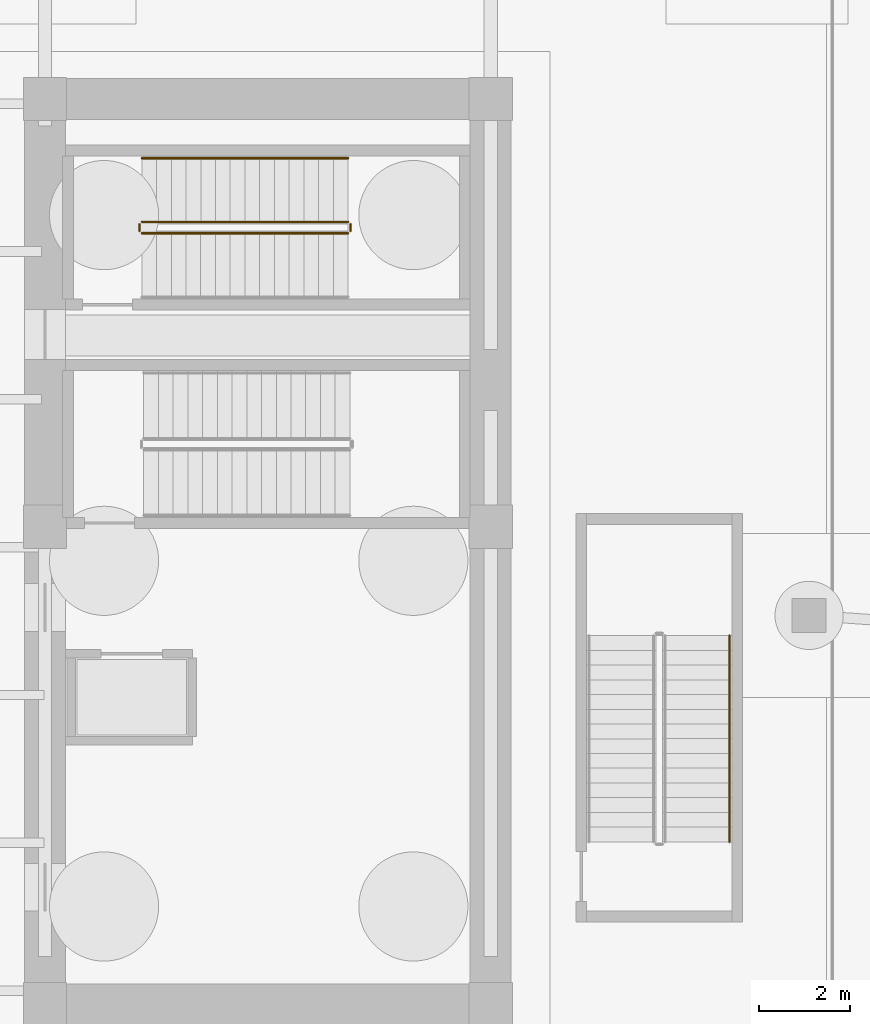
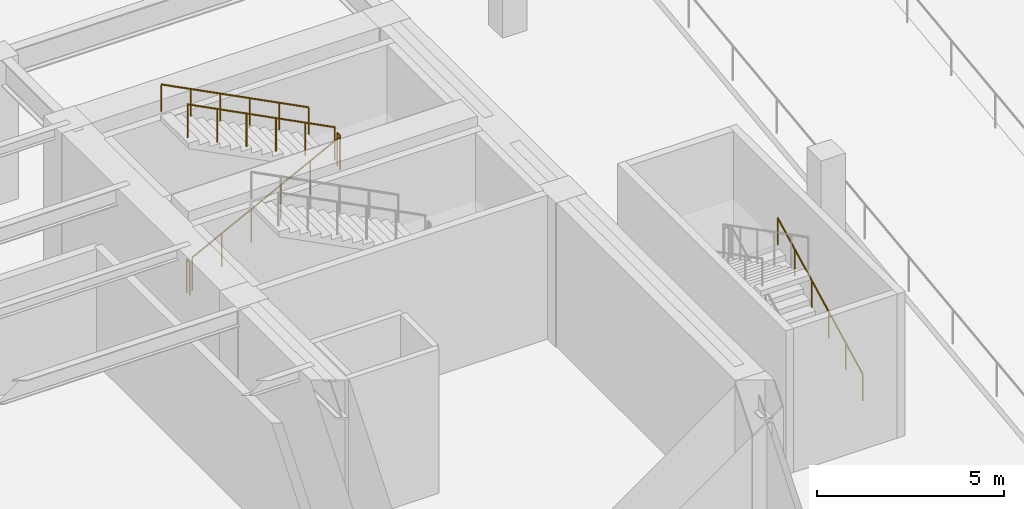
# One storey, part 12 of 14: 6 railings.
"""IFC4 building model written with IfcOpenShell, lengths in metres."""

import ifcopenshell
import ifcopenshell.guid

model = None  # the IFC model being written
_history = None  # IfcOwnerHistory: only IFC2X3 demands one
_inside = {}  # id of a spatial element -> (the spatial element, [elements in it])
_under = {}  # id of a project, library or spatial element -> (it, [spatial elements below it])
_declared = {}  # id of a project -> (the project, [libraries it declares])
_typed = {}  # id of a type object -> (the type object, [elements of that type])
_made_of = {}  # id of a material, layer set ... -> (it, [elements and type objects made of it])


def new_model(schema):
    """Start an empty IFC model of exactly this schema.

    Asked for "IFC4X3", IfcOpenShell would pick the latest addendum, in which some entities
    have other attributes; the version numbers below select the first issue.
    IFC2X3 requires an IfcOwnerHistory on every rooted entity: one is made here for all.
    """
    global model, _history
    if schema == "IFC4X3":
        model = ifcopenshell.file(schema_version=(4, 3, 0, 0))
    else:
        model = ifcopenshell.file(schema=schema)
    _inside.clear()
    _under.clear()
    _declared.clear()
    _typed.clear()
    _made_of.clear()
    _history = None
    if model.schema == "IFC2X3":
        org = make("IfcOrganization", Name="unknown")
        user = make(
            "IfcPersonAndOrganization",
            ThePerson=make("IfcPerson", FamilyName="unknown"),
            TheOrganization=org,
        )
        app = make(
            "IfcApplication",
            ApplicationDeveloper=org,
            Version="unknown",
            ApplicationFullName="unknown",
            ApplicationIdentifier="unknown",
        )
        _history = make(
            "IfcOwnerHistory",
            OwningUser=user,
            OwningApplication=app,
            ChangeAction="ADDED",
            CreationDate=0,
        )
    return model


def make(cls, **values):
    """One entity of the class cls with the attributes given. An attribute that is None is left unset."""
    return model.create_entity(
        cls, **{name: value for name, value in values.items() if value is not None}
    )


def rooted(cls, **values):
    """An entity with a GlobalId (a new one), such as an element, a storey or a relation."""
    return make(cls, GlobalId=ifcopenshell.guid.new(), OwnerHistory=_history, **values)


def si_unit(unit_type, name, prefix=None):
    """IfcSIUnit, for example si_unit("LENGTHUNIT", "METRE", prefix="MILLI")."""
    return make("IfcSIUnit", UnitType=unit_type, Prefix=prefix, Name=name)


def assignment(units):
    """IfcUnitAssignment: the units of a project."""
    return None if units is None else make("IfcUnitAssignment", Units=units)


def point(xyz):
    """IfcCartesianPoint."""
    return None if xyz is None else make("IfcCartesianPoint", Coordinates=xyz)


def direction(xyz):
    """IfcDirection."""
    return None if xyz is None else make("IfcDirection", DirectionRatios=xyz)


def frame(location, z_axis=None, x_axis=None):
    """IfcAxis2Placement3D, a coordinate frame: its origin and axes. An axis left out is left unset."""
    return make(
        "IfcAxis2Placement3D",
        Location=point(location),
        Axis=direction(z_axis),
        RefDirection=direction(x_axis),
    )


def frame_2d(location, x_axis=None):
    """IfcAxis2Placement2D, a coordinate frame in the plane: its origin and x axis."""
    return make(
        "IfcAxis2Placement2D", Location=point(location), RefDirection=direction(x_axis)
    )


def origin():
    """The frame at (0, 0, 0) with its axes left unset."""
    return frame((0.0, 0.0, 0.0))


def origin_2d():
    """The frame at (0, 0) in the plane with its x axis left unset."""
    return frame_2d((0.0, 0.0))


def place(relative_to, where):
    """IfcLocalPlacement: puts the frame where relative to a parent placement (None: the world)."""
    return make(
        "IfcLocalPlacement", PlacementRelTo=relative_to, RelativePlacement=where
    )


def context(
    kind, dimensions, precision=None, world=None, true_north=None, identifier=None
):
    """IfcGeometricRepresentationContext, for example the 3D "Model" context."""
    return make(
        "IfcGeometricRepresentationContext",
        ContextIdentifier=identifier,
        ContextType=kind,
        CoordinateSpaceDimension=dimensions,
        Precision=precision,
        WorldCoordinateSystem=world,
        TrueNorth=true_north,
    )


def subcontext(parent, identifier, kind, view, scale=None):
    """IfcGeometricRepresentationSubContext, for example "Body" below "Model"."""
    return make(
        "IfcGeometricRepresentationSubContext",
        ContextIdentifier=identifier,
        ContextType=kind,
        ParentContext=parent,
        TargetScale=scale,
        TargetView=view,
    )


def project(units=None, contexts=None):
    """IfcProject with its units and contexts."""
    return rooted(
        "IfcProject",
        Name="project",
        RepresentationContexts=contexts,
        UnitsInContext=assignment(units),
    )


def spatial(cls, under=None, at=None, **own):
    """A site, building, storey or space (cls), placed at a placement, below another one or the project."""
    s = rooted(cls, ObjectPlacement=at, **own)
    if under is not None:
        _under.setdefault(under.id(), (under, []))[1].append(s)
    return s


def profile(cls, at=None, kind="AREA", **sizes):
    """A parametric profile (cls). Its sizes go by their IFC names, for example OverallWidth=200.0."""
    return make(cls, ProfileType=kind, Position=at, **sizes)


def circle(**sizes):
    """IfcCircleProfileDef."""
    return profile("IfcCircleProfileDef", **sizes)


def extrude(swept, where, along, depth):
    """IfcExtrudedAreaSolid: the profile swept, set in the frame where, extruded along a direction by depth."""
    return make(
        "IfcExtrudedAreaSolid",
        SweptArea=swept,
        Position=where,
        ExtrudedDirection=direction(along),
        Depth=depth,
    )


def shape(context_of_items, identifier, shape_type, items):
    """IfcShapeRepresentation: the items that make up one representation, for example the "Body"."""
    return make(
        "IfcShapeRepresentation",
        ContextOfItems=context_of_items,
        RepresentationIdentifier=identifier,
        RepresentationType=shape_type,
        Items=items,
    )


def material(Name=None, Category=None):
    """IfcMaterial."""
    return make("IfcMaterial", Name=Name, Category=Category)


def made_of(thing, what):
    """Note that an element or type object is made of a material, layer set ...; save() writes the relation."""
    if what is not None:
        _made_of.setdefault(what.id(), (what, []))[1].append(thing)
    return thing


def type_object(cls, material=None, **own):
    """A type object (cls), such as IfcWallType, which elements share."""
    return made_of(rooted(cls, **own), material)


def element(
    cls,
    number,
    at=None,
    inside=None,
    cuts=None,
    type_object=None,
    material=None,
    context=None,
    identifier="Body",
    shape_type=None,
    held_by="IfcProductDefinitionShape",
    body=None,
    shapes=None,
    **own,
):
    """One element of the class cls, such as IfcWall. Its Tag is "e" and its number.

    at: its placement. inside: the storey or other place that contains it. cuts: it is an
    opening in that element (IfcRelVoidsElement). A single representation is given by context,
    identifier, shape_type and body (its items); several are given by shapes. held_by: the class
    of the entity that holds the representations. save() writes the other relations.
    """
    e = rooted(cls, Tag="e%d" % number, ObjectPlacement=at, **own)
    if body is not None:
        shapes = [shape(context, identifier, shape_type, body)]
    if shapes is not None:
        e.Representation = make(held_by, Representations=shapes)
    if inside is not None:
        _inside.setdefault(inside.id(), (inside, []))[1].append(e)
    if cuts is not None:
        rooted(
            "IfcRelVoidsElement", RelatingBuildingElement=cuts, RelatedOpeningElement=e
        )
    if type_object is not None:
        _typed.setdefault(type_object.id(), (type_object, []))[1].append(e)
    return made_of(e, material)


def aggregate(whole, parts):
    """IfcRelAggregates: a whole, such as a stair, and the parts it consists of."""
    return rooted("IfcRelAggregates", RelatingObject=whole, RelatedObjects=parts)


def save(model, path):
    """Write the relations noted so far, then the file.

    IfcRelAggregates (storeys below a building ...), IfcRelContainedInSpatialStructure (elements
    in a storey), IfcRelDefinesByType, IfcRelAssociatesMaterial and IfcRelDeclares: one each for
    every whole, place, type object, material and project.
    """
    for whole, parts in _under.values():
        aggregate(whole, parts)
    for where, things in _inside.values():
        rooted(
            "IfcRelContainedInSpatialStructure",
            RelatedElements=things,
            RelatingStructure=where,
        )
    for kind, things in _typed.values():
        rooted("IfcRelDefinesByType", RelatedObjects=things, RelatingType=kind)
    for what, things in _made_of.values():
        rooted("IfcRelAssociatesMaterial", RelatedObjects=things, RelatingMaterial=what)
    for by, libraries in _declared.values():
        rooted("IfcRelDeclares", RelatingContext=by, RelatedDefinitions=libraries)
    model.write(path)


model = new_model("IFC4")

# Units and contexts
model_context = context("Model", 3, precision=1e-05, world=origin(), true_north=direction((0.0, 1.0)))
body_context = subcontext(model_context, "Body", "Model", "MODEL_VIEW")
ifc_project = project(units=[si_unit("LENGTHUNIT", "METRE"), si_unit("AREAUNIT", "SQUARE_METRE"), si_unit("VOLUMEUNIT", "CUBIC_METRE"), si_unit("PLANEANGLEUNIT", "RADIAN"), si_unit("MASSUNIT", "GRAM", prefix="KILO")], contexts=[model_context])

# Site, building, storey
site_placement = place(None, origin())
site = spatial("IfcSite", under=ifc_project, at=site_placement, CompositionType="ELEMENT")
building_placement = place(site_placement, origin())
building = spatial("IfcBuilding", under=site, at=building_placement, Name="Kolvaren Arena Tower", CompositionType="ELEMENT")
storey_placement = place(building_placement, frame((0.0, 0.0, -10.0)))
storey = spatial("IfcBuildingStorey", under=building, at=storey_placement, Name="B02", CompositionType="ELEMENT", Elevation=-10.0)

# Railings
ifc_material_1 = material(Name="Painted galvanized steel", Category="steel")
railing_type_1 = type_object("IfcRailingType", Name="GUARD-ST-110", PredefinedType="GUARDRAIL", material=ifc_material_1)
railing_1_placement = place(storey_placement, frame((52.679931640625, 36.39990234375, 0.166748046875)))
element("IfcRailing", 1, at=railing_1_placement, inside=storey, type_object=railing_type_1, Name="B02 ST-E2 stair guard 1", PredefinedType="GUARDRAIL", context=body_context, shape_type="SweptSolid", body=[
    extrude(circle(Radius=0.02392578125, at=origin_2d()), frame((0.0, 0.0, 1.076171875), z_axis=(0.889257211316, 0.0, 0.457407490234), x_axis=(0.0, 1.0, 0.0)), (0.0, 0.0, 1.0), 5.10107421875),
    extrude(circle(Radius=0.02099609375, at=origin_2d()), origin(), (0.0, 0.0, 1.0), 1.052001953125),
    extrude(circle(Radius=0.02099609375, at=origin_2d()), frame((0.9072265625, 0.0, 0.466552734375)), (0.0, 0.0, 1.0), 1.052001953125),
    extrude(circle(Radius=0.02099609375, at=origin_2d()), frame((1.814453125, 0.0, 0.933349609375)), (0.0, 0.0, 1.0), 1.052001953125),
    extrude(circle(Radius=0.02099609375, at=origin_2d()), frame((2.7216796875, 0.0, 1.39990234375)), (0.0, 0.0, 1.0), 1.052001953125),
    extrude(circle(Radius=0.02099609375, at=origin_2d()), frame((3.62890625, 0.0, 1.86669921875)), (0.0, 0.0, 1.0), 1.052001953125),
    extrude(circle(Radius=0.02099609375, at=origin_2d()), frame((4.5361328125, 0.0, 2.333251953125)), (0.0, 0.0, 1.0), 1.052001953125),
])
railing_2_placement = place(storey_placement, frame((57.26611328125, 36.449951171875, 2.5)))
element("IfcRailing", 2, at=railing_2_placement, inside=storey, type_object=railing_type_1, Name="B02 ST-E2 stair guard 2", PredefinedType="GUARDRAIL", context=body_context, shape_type="SweptSolid", body=[
    extrude(circle(Radius=0.02392578125, at=origin_2d()), frame((0.0, 0.0, 1.076171875), z_axis=(0.0, 1.0, 0.0), x_axis=(-1.0, 0.0, 0.0)), (0.0, 0.0, 1.0), 0.150146484375),
    extrude(circle(Radius=0.02099609375, at=origin_2d()), origin(), (0.0, 0.0, 1.0), 1.052001953125),
    extrude(circle(Radius=0.02099609375, at=origin_2d()), frame((0.0, 0.150146484375, 0.0)), (0.0, 0.0, 1.0), 1.052001953125),
])
railing_3_placement = place(storey_placement, frame((57.216064453125, 36.64990234375, 2.666748046875)))
element("IfcRailing", 3, at=railing_3_placement, inside=storey, type_object=railing_type_1, Name="B02 ST-E2 stair guard 3", PredefinedType="GUARDRAIL", context=body_context, shape_type="SweptSolid", body=[
    extrude(circle(Radius=0.02392578125, at=origin_2d()), frame((0.0, 0.0, 1.076171875), z_axis=(-0.889257211316, 0.0, 0.457407490234), x_axis=(0.0, -1.0, 0.0)), (0.0, 0.0, 1.0), 5.10107421875),
    extrude(circle(Radius=0.02099609375, at=origin_2d()), origin(), (0.0, 0.0, 1.0), 1.052001953125),
    extrude(circle(Radius=0.02099609375, at=origin_2d()), frame((-0.9072265625, 0.0, 0.466552734375)), (0.0, 0.0, 1.0), 1.052001953125),
    extrude(circle(Radius=0.02099609375, at=origin_2d()), frame((-1.814453125, 0.0, 0.933349609375)), (0.0, 0.0, 1.0), 1.052001953125),
    extrude(circle(Radius=0.02099609375, at=origin_2d()), frame((-2.7216796875, 0.0, 1.39990234375)), (0.0, 0.0, 1.0), 1.052001953125),
    extrude(circle(Radius=0.02099609375, at=origin_2d()), frame((-3.62890625, 0.0, 1.86669921875)), (0.0, 0.0, 1.0), 1.052001953125),
    extrude(circle(Radius=0.02099609375, at=origin_2d()), frame((-4.5361328125, 0.0, 2.333251953125)), (0.0, 0.0, 1.0), 1.052001953125),
])
railing_4_placement = place(storey_placement, frame((52.6298828125, 36.449951171875, 0.0)))
element("IfcRailing", 4, at=railing_4_placement, inside=storey, type_object=railing_type_1, Name="B02 ST-E2 stair guard 4", PredefinedType="GUARDRAIL", context=body_context, shape_type="SweptSolid", body=[
    extrude(circle(Radius=0.02392578125, at=origin_2d()), frame((0.0, 0.0, 1.076171875), z_axis=(0.0, 1.0, 0.0), x_axis=(-1.0, 0.0, 0.0)), (0.0, 0.0, 1.0), 0.150146484375),
    extrude(circle(Radius=0.02099609375, at=origin_2d()), origin(), (0.0, 0.0, 1.0), 1.052001953125),
    extrude(circle(Radius=0.02099609375, at=origin_2d()), frame((0.0, 0.150146484375, 0.0)), (0.0, 0.0, 1.0), 1.052001953125),
])
ifc_material_2 = material(Name="Brushed stainless steel handrail", Category="steel")
railing_type_2 = type_object("IfcRailingType", Name="HRAIL-900", PredefinedType="HANDRAIL", material=ifc_material_2)
railing_5_placement = place(storey_placement, frame((57.216064453125, 38.050048828125, 2.666748046875)))
element("IfcRailing", 5, at=railing_5_placement, inside=storey, type_object=railing_type_2, Name="B02 ST-E2 stair handrail 2", PredefinedType="HANDRAIL", context=body_context, shape_type="SweptSolid", body=[
    extrude(circle(Radius=0.02392578125, at=origin_2d()), frame((0.0, 0.0, 0.8759765625), z_axis=(-0.889257211316, 0.0, 0.457407490234), x_axis=(0.0, -1.0, 0.0)), (0.0, 0.0, 1.0), 5.10107421875),
    extrude(circle(Radius=0.02099609375, at=origin_2d()), origin(), (0.0, 0.0, 1.0), 0.851806640625),
    extrude(circle(Radius=0.02099609375, at=origin_2d()), frame((-0.9072265625, 0.0, 0.466552734375)), (0.0, 0.0, 1.0), 0.851806640625),
    extrude(circle(Radius=0.02099609375, at=origin_2d()), frame((-1.814453125, 0.0, 0.933349609375)), (0.0, 0.0, 1.0), 0.851806640625),
    extrude(circle(Radius=0.02099609375, at=origin_2d()), frame((-2.7216796875, 0.0, 1.39990234375)), (0.0, 0.0, 1.0), 0.851806640625),
    extrude(circle(Radius=0.02099609375, at=origin_2d()), frame((-3.62890625, 0.0, 1.86669921875)), (0.0, 0.0, 1.0), 0.851806640625),
    extrude(circle(Radius=0.02099609375, at=origin_2d()), frame((-4.5361328125, 0.0, 2.333251953125)), (0.0, 0.0, 1.0), 0.851806640625),
])
railing_6_placement = place(storey_placement, frame((65.60009765625, 23.02001953125, 0.166748046875)))
element("IfcRailing", 6, at=railing_6_placement, inside=storey, type_object=railing_type_2, Name="B02 ST-B2 stair handrail 1", PredefinedType="HANDRAIL", context=body_context, shape_type="SweptSolid", body=[
    extrude(circle(Radius=0.02392578125, at=origin_2d()), frame((0.0, 0.0, 0.8759765625), z_axis=(0.0, 0.889247197123, 0.45742695855), x_axis=(-1.0, 0.0, 0.0)), (0.0, 0.0, 1.0), 5.100830078125),
    extrude(circle(Radius=0.02099609375, at=origin_2d()), origin(), (0.0, 0.0, 1.0), 0.851806640625),
    extrude(circle(Radius=0.02099609375, at=origin_2d()), frame((0.0, 0.9072265625, 0.466552734375)), (0.0, 0.0, 1.0), 0.851806640625),
    extrude(circle(Radius=0.02099609375, at=origin_2d()), frame((0.0, 1.814453125, 0.933349609375)), (0.0, 0.0, 1.0), 0.851806640625),
    extrude(circle(Radius=0.02099609375, at=origin_2d()), frame((0.0, 2.721435546875, 1.39990234375)), (0.0, 0.0, 1.0), 0.851806640625),
    extrude(circle(Radius=0.02099609375, at=origin_2d()), frame((0.0, 3.628662109375, 1.86669921875)), (0.0, 0.0, 1.0), 0.851806640625),
    extrude(circle(Radius=0.02099609375, at=origin_2d()), frame((0.0, 4.535888671875, 2.333251953125)), (0.0, 0.0, 1.0), 0.851806640625),
])

save(model, "model.ifc")
